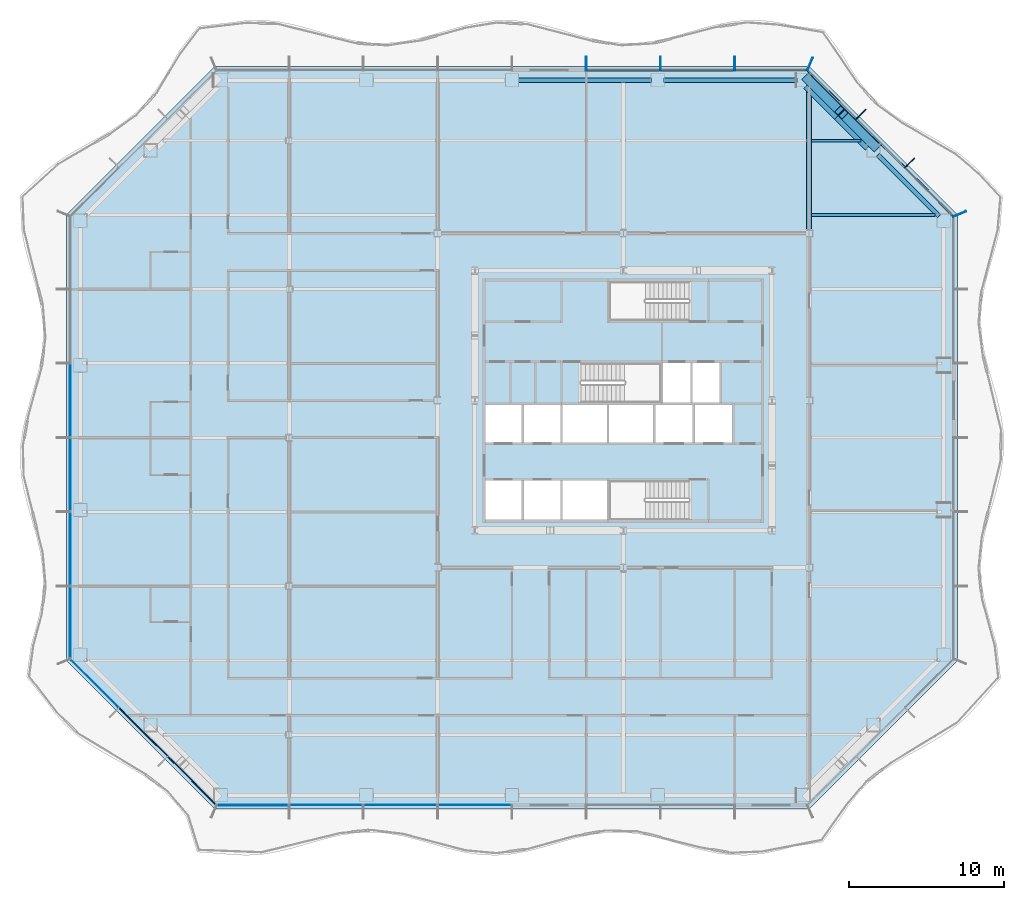
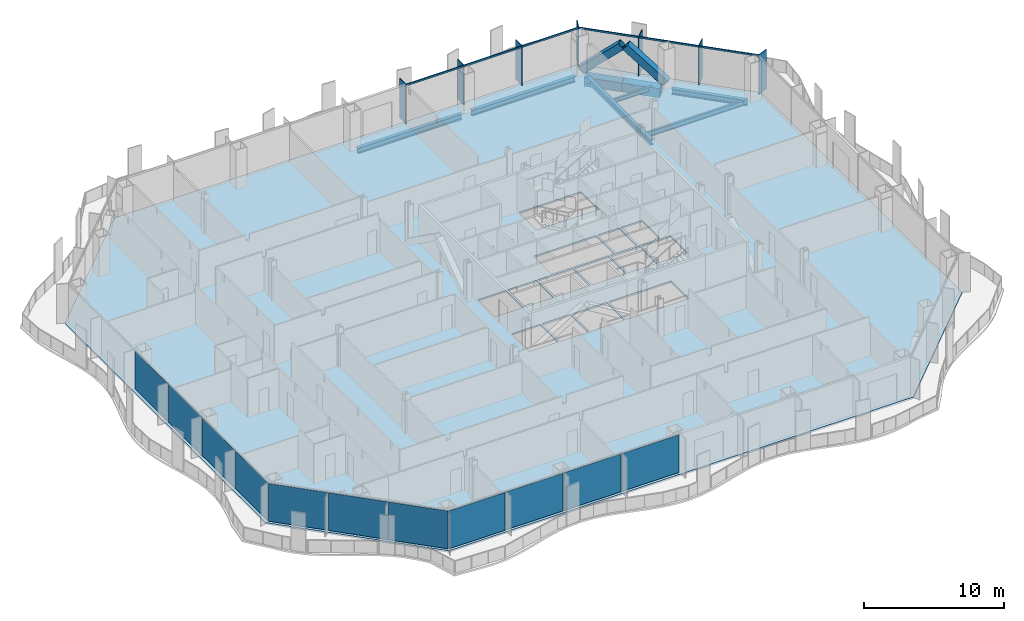
# One storey, part 4 of 18: 15 members, 11 plates, 8 beams, 1 slab, 5 elements without a shape of their own.
"""IFC4 building model written with IfcOpenShell, lengths in metres."""

from ifc_helpers import new_model, si_unit, direction, frame, origin, origin_2d, place, context, subcontext, project, spatial, polyline, rectangle, hollow_rectangle, i_section, outline, extrude, material, layer, layer_set, material_profile, profile_set, type_object, element, aggregate, save


model = new_model("IFC4")

# Units and contexts
model_context = context("Model", 3, precision=1e-05, world=origin(), true_north=direction((0.0, 1.0)))
body_context = subcontext(model_context, "Body", "Model", "MODEL_VIEW")
ifc_project = project(units=[si_unit("LENGTHUNIT", "METRE"), si_unit("AREAUNIT", "SQUARE_METRE"), si_unit("VOLUMEUNIT", "CUBIC_METRE"), si_unit("PLANEANGLEUNIT", "RADIAN"), si_unit("MASSUNIT", "GRAM", prefix="KILO")], contexts=[model_context])

# Site, building, storey
site_placement = place(None, origin())
site = spatial("IfcSite", under=ifc_project, at=site_placement, CompositionType="ELEMENT")
building_placement = place(site_placement, origin())
building = spatial("IfcBuilding", under=site, at=building_placement, Name="Cairn Pilgrim Tower", CompositionType="ELEMENT")
storey_placement = place(building_placement, frame((0.0, 0.0, 76.199951171875)))
storey = spatial("IfcBuildingStorey", under=building, at=storey_placement, Name="L17", CompositionType="ELEMENT", Elevation=76.199951171875)

# Members
ifc_material_1 = material(Name="Structural steel S460M", Category="steel")
ifc_material_profile_1 = material_profile(ifc_material_1, hollow_rectangle(XDim=0.60009765625, YDim=0.60009765625, WallThickness=0.034912109375, at=origin_2d()), Name="BOX 600x600x35")
ifc_profile_set_1 = profile_set([ifc_material_profile_1], Name="Structural steel S460M")
member_type_1 = type_object("IfcMemberType", Name="BOX 600x600x35 BRACE", PredefinedType="BRACE", material=ifc_profile_set_1)
for number, where, z_axis, x_axis, name in (
    (1, (23.4873046875, 18.814697265625, 0.150146484375), (-0.528960912345, 0.52889942671, 0.663675937214), (-0.70706568108, -0.707147878904, 0.0), "XB-NE2-N1-1"),
    (2, (19.078125, 23.2236328125, 0.150146484375), (0.528943710525, -0.528943710525, 0.663654354459), (0.707106781187, 0.707106781187, 0.0), "XB-NE2-N1-2"),
):
    element("IfcMember", number, at=place(storey_placement, frame(where, z_axis=z_axis, x_axis=x_axis)), inside=storey, type_object=member_type_1, Name=name, PredefinedType="BRACE", context=body_context, shape_type="SweptSolid", body=[
        extrude(hollow_rectangle(XDim=0.60009765625, YDim=0.60009765625, WallThickness=0.034912109375, at=origin_2d()), origin(), (0.0, 0.0, 1.0), 3.970703125),
    ])

# Beams
ifc_material_2 = material(Name="Structural steel S355J2", Category="steel")
ifc_material_profile_2 = material_profile(ifc_material_2, hollow_rectangle(XDim=0.699951171875, YDim=0.800048828125, WallThickness=0.0400390625, at=origin_2d()), Name="BOX 700x800x40")
ifc_profile_set_2 = profile_set([ifc_material_profile_2], Name="Structural steel S355J2")
beam_type_1 = type_object("IfcBeamType", Name="BOX 700x800x40 RING GIRDER", PredefinedType="SPANDREL", material=ifc_profile_set_2)
beam_1_placement = place(storey_placement, frame((23.0771484375, 18.85009765625, -0.550048828125), z_axis=(-0.707106781187, 0.707106781187, 0.0), x_axis=(-0.707106781187, -0.707106781187, 0.0)))
element("IfcBeam", 3, at=beam_1_placement, inside=storey, type_object=beam_type_1, Name="RG1-NE2-N1-1", PredefinedType="SPANDREL", context=body_context, shape_type="SweptSolid", body=[
    extrude(hollow_rectangle(XDim=0.699951171875, YDim=0.800048828125, WallThickness=0.0400390625, at=origin_2d()), origin(), (0.0, 0.0, 1.0), 2.802490234375),
])
beam_2_placement = place(storey_placement, frame((21.095458984375, 20.831787109375, -0.550048828125), z_axis=(-0.707106781187, 0.707106781187, 0.0), x_axis=(-0.707106781187, -0.707106781187, 0.0)))
element("IfcBeam", 4, at=beam_2_placement, inside=storey, type_object=beam_type_1, Name="RG1-NE2-N1-2", PredefinedType="SPANDREL", context=body_context, shape_type="SweptSolid", body=[
    extrude(hollow_rectangle(XDim=0.699951171875, YDim=0.800048828125, WallThickness=0.0400390625, at=origin_2d()), origin(), (0.0, 0.0, 1.0), 2.802978515625),
])

# Curtain wall, members
ifc_material_3 = material(Name="Aluminium alloy 6063-T6 bronze anodised with Bronze tinted laminated low-E glass 8+16+8.8", Category="aluminium")
curtain_wall_type_1 = type_object("IfcCurtainWallType", Name="CHAMFER CORNER CURTAIN WALL", PredefinedType="NOTDEFINED", material=ifc_material_3)
curtain_wall_1_placement = place(storey_placement, origin())
curtain_wall_1 = element("IfcCurtainWall", 5, at=curtain_wall_1_placement, inside=storey, type_object=curtain_wall_type_1, Name="Chamfer Corner Curtain Wall NE", PredefinedType="NOTDEFINED")
ifc_material_4 = material(Name="Aluminium alloy 6063-T6 bronze anodised", Category="aluminium")
ifc_material_profile_3 = material_profile(ifc_material_4, rectangle(XDim=0.89990234375, YDim=0.06005859375, at=origin_2d()), Name="FIN MULLION 60x900 BRONZE")
ifc_profile_set_3 = profile_set([ifc_material_profile_3], Name="Aluminium alloy 6063-T6 bronze anodised")
member_type_2 = type_object("IfcMemberType", Name="FIN MULLION 60x900 BRONZE", PredefinedType="MULLION", material=ifc_profile_set_3)
member_1_placement = place(storey_placement, frame((28.93798828125, 14.457275390625, 0.0), z_axis=(0.0, 0.0, 1.0), x_axis=(0.923879532511, 0.382683432365, 0.0)))
member_1 = element("IfcMember", 6, at=member_1_placement, type_object=member_type_2, Name="Fin mullion NE1", PredefinedType="MULLION", context=body_context, shape_type="SweptSolid", body=[
    extrude(rectangle(XDim=0.89990234375, YDim=0.06005859375, at=origin_2d()), origin(), (0.0, 0.0, 1.0), 3.449951171875),
])
member_2_placement = place(storey_placement, frame((25.69580078125, 17.74462890625, 0.0), z_axis=(0.0, 0.0, 1.0), x_axis=(0.707106781187, 0.707106781187, 0.0)))
member_2 = element("IfcMember", 7, at=member_2_placement, type_object=member_type_2, Name="Fin mullion NE2", PredefinedType="MULLION", context=body_context, shape_type="SweptSolid", body=[
    extrude(rectangle(XDim=0.89990234375, YDim=0.06005859375, at=origin_2d()), origin(), (0.0, 0.0, 1.0), 3.449951171875),
])
member_3_placement = place(storey_placement, frame((22.544677734375, 20.895751953125, 0.0), z_axis=(0.0, 0.0, 1.0), x_axis=(0.707106781187, 0.707106781187, 0.0)))
member_3 = element("IfcMember", 8, at=member_3_placement, type_object=member_type_2, Name="Fin mullion NE3", PredefinedType="MULLION", context=body_context, shape_type="SweptSolid", body=[
    extrude(rectangle(XDim=0.89990234375, YDim=0.06005859375, at=origin_2d()), origin(), (0.0, 0.0, 1.0), 3.449951171875),
])

curtain_wall_type_2 = type_object("IfcCurtainWallType", Name="TOWER STICK CURTAIN WALL NS", PredefinedType="NOTDEFINED", material=ifc_material_3)
curtain_wall_2_placement = place(storey_placement, origin())
curtain_wall_2 = element("IfcCurtainWall", 9, at=curtain_wall_2_placement, inside=storey, type_object=curtain_wall_type_2, Name="Tower Stick Curtain Wall Ns N", PredefinedType="NOTDEFINED")
member_4_placement = place(storey_placement, frame((19.257080078125, 24.137939453125, 0.0), z_axis=(0.0, 0.0, 1.0), x_axis=(0.382683432365, 0.923879532511, 0.0)))
member_4 = element("IfcMember", 10, at=member_4_placement, type_object=member_type_2, Name="Fin mullion N1", PredefinedType="MULLION", context=body_context, shape_type="SweptSolid", body=[
    extrude(rectangle(XDim=0.89990234375, YDim=0.06005859375, at=origin_2d()), origin(), (0.0, 0.0, 1.0), 3.449951171875),
])
member_5_placement = place(storey_placement, frame((14.39990234375, 24.169921875, 0.0), z_axis=(0.0, 0.0, 1.0), x_axis=(0.0, 1.0, 0.0)))
member_5 = element("IfcMember", 11, at=member_5_placement, type_object=member_type_2, Name="Fin mullion N2", PredefinedType="MULLION", context=body_context, shape_type="SweptSolid", body=[
    extrude(rectangle(XDim=0.89990234375, YDim=0.06005859375, at=origin_2d()), origin(), (0.0, 0.0, 1.0), 3.449951171875),
])
member_6_placement = place(storey_placement, frame((9.60009765625, 24.169921875, 0.0), z_axis=(0.0, 0.0, 1.0), x_axis=(0.0, 1.0, 0.0)))
member_6 = element("IfcMember", 12, at=member_6_placement, type_object=member_type_2, Name="Fin mullion N3", PredefinedType="MULLION", context=body_context, shape_type="SweptSolid", body=[
    extrude(rectangle(XDim=0.89990234375, YDim=0.06005859375, at=origin_2d()), origin(), (0.0, 0.0, 1.0), 3.449951171875),
])
member_7_placement = place(storey_placement, frame((4.800048828125, 24.169921875, 0.0), z_axis=(0.0, 0.0, 1.0), x_axis=(0.0, 1.0, 0.0)))
member_7 = element("IfcMember", 13, at=member_7_placement, type_object=member_type_2, Name="Fin mullion N4", PredefinedType="MULLION", context=body_context, shape_type="SweptSolid", body=[
    extrude(rectangle(XDim=0.89990234375, YDim=0.06005859375, at=origin_2d()), origin(), (0.0, 0.0, 1.0), 3.449951171875),
])

# Beams
ifc_material_profile_4 = material_profile(ifc_material_2, i_section(OverallWidth=0.300048828125, OverallDepth=0.5, WebThickness=0.014404296875, FlangeThickness=0.028076171875, FilletRadius=0.027099609375, at=origin_2d()), Name="HEB 500")
ifc_profile_set_4 = profile_set([ifc_material_profile_4], Name="Structural steel S355J2")
beam_type_2 = type_object("IfcBeamType", Name="HEB 500 GIRDER", PredefinedType="BEAM", material=ifc_profile_set_4)
beam_3_placement = place(storey_placement, frame((19.199951171875, 13.412109375, -0.39990234375), z_axis=(0.0, 1.0, 0.0), x_axis=(-1.0, 0.0, 0.0)))
element("IfcBeam", 14, at=beam_3_placement, inside=storey, type_object=beam_type_2, Name="PG4-4", PredefinedType="BEAM", context=body_context, shape_type="SweptSolid", body=[
    extrude(i_section(OverallWidth=0.300048828125, OverallDepth=0.5, WebThickness=0.014404296875, FlangeThickness=0.028076171875, FilletRadius=0.027099609375, at=origin_2d()), origin(), (0.0, 0.0, 1.0), 9.133056640625),
])
ifc_material_profile_5 = material_profile(ifc_material_2, i_section(OverallWidth=0.300048828125, OverallDepth=0.5, WebThickness=0.014404296875, FlangeThickness=0.028076171875, FilletRadius=0.027099609375, at=origin_2d()), Name="HEB 500")
ifc_profile_set_5 = profile_set([ifc_material_profile_5], Name="Structural steel S355J2")
beam_type_3 = type_object("IfcBeamType", Name="HEB 500 RING GIRDER", PredefinedType="SPANDREL", material=ifc_profile_set_5)
beam_4_placement = place(storey_placement, frame((27.613525390625, 14.313720703125, -0.39990234375), z_axis=(-0.707128558756, 0.707085002947, 0.0), x_axis=(-0.707085002947, -0.707128558756, 0.0)))
element("IfcBeam", 15, at=beam_4_placement, inside=storey, type_object=beam_type_3, Name="RG1-NE1-NE2", PredefinedType="SPANDREL", context=body_context, shape_type="SweptSolid", body=[
    extrude(i_section(OverallWidth=0.300048828125, OverallDepth=0.5, WebThickness=0.014404296875, FlangeThickness=0.028076171875, FilletRadius=0.027099609375, at=origin_2d()), origin(), (0.0, 0.0, 1.0), 5.605224609375),
])
for number, where, z_axis, x_axis, name in (
    (16, (18.422119140625, 23.10009765625, -0.39990234375), (-1.0, 0.0, 0.0), (0.0, -1.0, 0.0), "RG1-N1-N2"),
    (17, (9.008544921875, 23.10009765625, -0.39990234375), (-1.0, 0.0, 0.0), (0.0, -1.0, 0.0), "RG1-N2-N3"),
):
    element("IfcBeam", number, at=place(storey_placement, frame(where, z_axis=z_axis, x_axis=x_axis)), inside=storey, type_object=beam_type_3, Name=name, PredefinedType="SPANDREL", context=body_context, shape_type="SweptSolid", body=[
        extrude(i_section(OverallWidth=0.300048828125, OverallDepth=0.5, WebThickness=0.014404296875, FlangeThickness=0.028076171875, FilletRadius=0.027099609375, at=origin_2d()), origin(), (0.0, 0.0, 1.0), 8.603515625),
    ])
ifc_material_profile_6 = material_profile(ifc_material_2, i_section(OverallWidth=0.169921875, OverallDepth=0.360107421875, WebThickness=0.008056640625, FlangeThickness=0.0126953125, FilletRadius=0.01806640625, at=origin_2d()), Name="IPE 360")
ifc_profile_set_6 = profile_set([ifc_material_profile_6], Name="Structural steel S355J2")
beam_type_4 = type_object("IfcBeamType", Name="IPE 360 SECONDARY BEAM", PredefinedType="JOIST", material=ifc_profile_set_6)
beam_5_placement = place(storey_placement, frame((19.35009765625, 19.199951171875, -0.329833984375), z_axis=(1.0, 0.0, 0.0), x_axis=(0.0, 1.0, 0.0)))
element("IfcBeam", 18, at=beam_5_placement, inside=storey, type_object=beam_type_4, Name="SB9-5", PredefinedType="JOIST", context=body_context, shape_type="SweptSolid", body=[
    extrude(i_section(OverallWidth=0.169921875, OverallDepth=0.360107421875, WebThickness=0.008056640625, FlangeThickness=0.0126953125, FilletRadius=0.01806640625, at=origin_2d()), origin(), (0.0, 0.0, 1.0), 3.195068359375),
])
ifc_material_profile_7 = material_profile(ifc_material_2, i_section(OverallWidth=0.18994140625, OverallDepth=0.449951171875, WebThickness=0.009521484375, FlangeThickness=0.0146484375, FilletRadius=0.02099609375, at=origin_2d()), Name="IPE 450")
ifc_profile_set_7 = profile_set([ifc_material_profile_7], Name="Structural steel S355J2")
beam_type_5 = type_object("IfcBeamType", Name="IPE 450 SECONDARY BEAM", PredefinedType="JOIST", material=ifc_profile_set_7)
beam_6_placement = place(storey_placement, frame((19.35009765625, 14.39990234375, -0.375), z_axis=(1.0, 0.0, 0.0), x_axis=(0.0, 1.0, 0.0)))
element("IfcBeam", 19, at=beam_6_placement, inside=storey, type_object=beam_type_5, Name="SB8-3", PredefinedType="JOIST", context=body_context, shape_type="SweptSolid", body=[
    extrude(i_section(OverallWidth=0.18994140625, OverallDepth=0.449951171875, WebThickness=0.009521484375, FlangeThickness=0.0146484375, FilletRadius=0.02099609375, at=origin_2d()), origin(), (0.0, 0.0, 1.0), 7.9951171875),
])

# Member
ifc_material_profile_8 = material_profile(ifc_material_4, rectangle(XDim=0.080078125, YDim=0.14990234375, at=origin_2d()), Name="TRANSOM 80x150 BRONZE")
ifc_profile_set_8 = profile_set([ifc_material_profile_8], Name="Aluminium alloy 6063-T6 bronze anodised")
member_type_3 = type_object("IfcMemberType", Name="TRANSOM 80x150 BRONZE", PredefinedType="USERDEFINED", material=ifc_profile_set_8)
member_8_placement = place(storey_placement, frame((28.521728515625, 14.32470703125, 3.375), z_axis=(-0.707106781187, 0.707106781187, 0.0), x_axis=(-0.707106781187, -0.707106781187, 0.0)))
member_8 = element("IfcMember", 20, at=member_8_placement, type_object=member_type_3, Name="Transom NE1", ObjectType="TRANSOM", PredefinedType="USERDEFINED", context=body_context, shape_type="SweptSolid", body=[
    extrude(rectangle(XDim=0.080078125, YDim=0.14990234375, at=origin_2d()), origin(), (0.0, 0.0, 1.0), 4.38671875),
])

member_9_placement = place(storey_placement, frame((25.377685546875, 17.46875, 3.375), z_axis=(-0.707106781187, 0.707106781187, 0.0), x_axis=(-0.707106781187, -0.707106781187, 0.0)))
member_9 = element("IfcMember", 21, at=member_9_placement, type_object=member_type_3, Name="Transom NE2", ObjectType="TRANSOM", PredefinedType="USERDEFINED", context=body_context, shape_type="SweptSolid", body=[
    extrude(rectangle(XDim=0.080078125, YDim=0.14990234375, at=origin_2d()), origin(), (0.0, 0.0, 1.0), 4.396728515625),
])

member_10_placement = place(storey_placement, frame((22.226318359375, 20.6201171875, 3.375), z_axis=(-0.707106781187, 0.707106781187, 0.0), x_axis=(-0.707106781187, -0.707106781187, 0.0)))
member_10 = element("IfcMember", 22, at=member_10_placement, type_object=member_type_3, Name="Transom NE3", ObjectType="TRANSOM", PredefinedType="USERDEFINED", context=body_context, shape_type="SweptSolid", body=[
    extrude(rectangle(XDim=0.080078125, YDim=0.14990234375, at=origin_2d()), origin(), (0.0, 0.0, 1.0), 4.38623046875),
])

aggregate(curtain_wall_1, [member_1, member_2, member_3, member_8, member_9, member_10])

member_11_placement = place(storey_placement, frame((19.056396484375, 23.75, 3.375), z_axis=(-1.0, 0.0, 0.0), x_axis=(0.0, -1.0, 0.0)))
member_11 = element("IfcMember", 23, at=member_11_placement, type_object=member_type_3, Name="Transom N1", ObjectType="TRANSOM", PredefinedType="USERDEFINED", context=body_context, shape_type="SweptSolid", body=[
    extrude(rectangle(XDim=0.080078125, YDim=0.14990234375, at=origin_2d()), origin(), (0.0, 0.0, 1.0), 4.62646484375),
])

member_12_placement = place(storey_placement, frame((14.3701171875, 23.75, 3.375), z_axis=(-1.0, 0.0, 0.0), x_axis=(0.0, -1.0, 0.0)))
member_12 = element("IfcMember", 24, at=member_12_placement, type_object=member_type_3, Name="Transom N2", ObjectType="TRANSOM", PredefinedType="USERDEFINED", context=body_context, shape_type="SweptSolid", body=[
    extrude(rectangle(XDim=0.080078125, YDim=0.14990234375, at=origin_2d()), origin(), (0.0, 0.0, 1.0), 4.740234375),
])

member_13_placement = place(storey_placement, frame((9.570068359375, 23.75, 3.375), z_axis=(-1.0, 0.0, 0.0), x_axis=(0.0, -1.0, 0.0)))
member_13 = element("IfcMember", 25, at=member_13_placement, type_object=member_type_3, Name="Transom N3", ObjectType="TRANSOM", PredefinedType="USERDEFINED", context=body_context, shape_type="SweptSolid", body=[
    extrude(rectangle(XDim=0.080078125, YDim=0.14990234375, at=origin_2d()), origin(), (0.0, 0.0, 1.0), 4.739990234375),
])

aggregate(curtain_wall_2, [member_4, member_5, member_6, member_7, member_11, member_12, member_13])

# Slab
ifc_material_5 = material(Name="Concrete C35/45", Category="concrete")
ifc_layer_1 = layer(ifc_material_5, 0.14990234375)
ifc_layer_set_1 = layer_set([ifc_layer_1], Name="COMPOSITE FLOOR SLAB 150")
slab_type = type_object("IfcSlabType", Name="COMPOSITE FLOOR SLAB 150", PredefinedType="FLOOR", material=ifc_layer_set_1)
slab_placement = place(storey_placement, frame((0.0, 0.0, -0.14990234375)))
element("IfcSlab", 26, at=slab_placement, inside=storey, type_object=slab_type, Name="FLOOR SLAB L17", PredefinedType="FLOOR", context=body_context, shape_type="SweptSolid", body=[
    extrude(outline(polyline([(-19.199951171875, -24.0), (19.199951171875, -24.0), (28.800048828125, -14.39990234375), (28.800048828125, 14.39990234375), (19.199951171875, 24.0), (-19.199951171875, 24.0), (-28.800048828125, 14.39990234375), (-28.800048828125, -14.39990234375), (-19.199951171875, -24.0)]), holes=[polyline([(-1.72509765625, -5.300048828125), (0.625, -5.300048828125), (0.625, -2.77490234375), (-1.72509765625, -2.77490234375), (-1.72509765625, -5.300048828125)]), polyline([(0.77490234375, -5.300048828125), (3.125, -5.300048828125), (3.125, -2.77490234375), (0.77490234375, -2.77490234375), (0.77490234375, -5.300048828125)]), polyline([(-1.72509765625, -0.324951171875), (0.625, -0.324951171875), (0.625, 2.125), (-1.72509765625, 2.125), (-1.72509765625, -0.324951171875)]), polyline([(0.77490234375, -0.324951171875), (3.125, -0.324951171875), (3.125, 2.125), (0.77490234375, 2.125), (0.77490234375, -0.324951171875)]), polyline([(3.27490234375, -5.300048828125), (6.125, -5.300048828125), (6.125, -2.77490234375), (3.27490234375, -2.77490234375), (3.27490234375, -5.300048828125)]), polyline([(3.27490234375, -0.324951171875), (6.125, -0.324951171875), (6.125, 2.125), (3.27490234375, 2.125), (3.27490234375, -0.324951171875)]), polyline([(6.27490234375, -0.324951171875), (9.125, -0.324951171875), (9.125, 2.125), (6.27490234375, 2.125), (6.27490234375, -0.324951171875)]), polyline([(9.27490234375, -0.324951171875), (11.675048828125, -0.324951171875), (11.675048828125, 2.125), (9.27490234375, 2.125), (9.27490234375, -0.324951171875)]), polyline([(11.824951171875, -0.324951171875), (14.22509765625, -0.324951171875), (14.22509765625, 2.125), (11.824951171875, 2.125), (11.824951171875, -0.324951171875)]), polyline([(9.77490234375, 2.27490234375), (11.52490234375, 2.27490234375), (11.52490234375, 4.824951171875), (9.77490234375, 4.824951171875), (9.77490234375, 2.27490234375)]), polyline([(11.675048828125, 2.27490234375), (13.425048828125, 2.27490234375), (13.425048828125, 4.824951171875), (11.675048828125, 4.824951171875), (11.675048828125, 2.27490234375)]), polyline([(11.424560546875, -2.77490234375), (6.27490234375, -2.77490234375), (6.27490234375, -5.300048828125), (11.424560546875, -5.300048828125), (11.424560546875, -2.77490234375)]), polyline([(4.4755859375, 2.27490234375), (9.625, 2.27490234375), (9.625, 4.824951171875), (4.4755859375, 4.824951171875), (4.4755859375, 2.27490234375)]), polyline([(11.424560546875, 10.10009765625), (6.27490234375, 10.10009765625), (6.27490234375, 7.574951171875), (11.424560546875, 7.574951171875), (11.424560546875, 10.10009765625)])]), origin(), (0.0, 0.0, 1.0), 0.14990234375),
])

# Curtain wall, plates
curtain_wall_3_placement = place(storey_placement, origin())
curtain_wall_3 = element("IfcCurtainWall", 27, at=curtain_wall_3_placement, inside=storey, type_object=curtain_wall_type_1, Name="Chamfer Corner Curtain Wall SW", PredefinedType="NOTDEFINED")
ifc_material_6 = material(Name="Bronze anodised aluminium spandrel panel with mineral wool insulation", Category="aluminium")
ifc_layer_2 = layer(ifc_material_6, 0.06005859375)
ifc_layer_set_2 = layer_set([ifc_layer_2], Name="SPANDREL PANEL 4386x3300")
plate_type_1 = type_object("IfcPlateType", Name="SPANDREL PANEL 4386x3300", PredefinedType="CURTAIN_PANEL", material=ifc_layer_set_2)
plate_1_placement = place(storey_placement, frame((-20.675537109375, -22.1708984375, 0.0), z_axis=(0.0, 0.0, 1.0), x_axis=(0.707106781187, -0.707106781187, 0.0)))
plate_1 = element("IfcPlate", 28, at=plate_1_placement, type_object=plate_type_1, Name="Spandrel Panel SW3-1", PredefinedType="CURTAIN_PANEL", context=body_context, shape_type="SweptSolid", body=[
    extrude(rectangle(XDim=4.386474609375, YDim=0.06005859375, at=origin_2d()), origin(), (0.0, 0.0, 1.0), 3.300048828125),
])
ifc_layer_3 = layer(ifc_material_6, 0.06005859375)
ifc_layer_set_3 = layer_set([ifc_layer_3], Name="SPANDREL PANEL 4396x3300")
plate_type_2 = type_object("IfcPlateType", Name="SPANDREL PANEL 4396x3300", PredefinedType="CURTAIN_PANEL", material=ifc_layer_set_3)
plate_2_placement = place(storey_placement, frame((-23.8232421875, -19.023193359375, 0.0), z_axis=(0.0, 0.0, 1.0), x_axis=(0.707106781187, -0.707106781187, 0.0)))
plate_2 = element("IfcPlate", 29, at=plate_2_placement, type_object=plate_type_2, Name="Spandrel Panel SW2-1", PredefinedType="CURTAIN_PANEL", context=body_context, shape_type="SweptSolid", body=[
    extrude(rectangle(XDim=4.396484375, YDim=0.06005859375, at=origin_2d()), origin(), (0.0, 0.0, 1.0), 3.300048828125),
])

# Curtain wall, plate
curtain_wall_4_placement = place(storey_placement, origin())
curtain_wall_4 = element("IfcCurtainWall", 30, at=curtain_wall_4_placement, inside=storey, type_object=curtain_wall_type_2, Name="Tower Stick Curtain Wall Ns S", PredefinedType="NOTDEFINED")
ifc_layer_4 = layer(ifc_material_6, 0.06005859375)
ifc_layer_set_4 = layer_set([ifc_layer_4], Name="SPANDREL PANEL 4626x3300")
plate_type_3 = type_object("IfcPlateType", Name="SPANDREL PANEL 4626x3300", PredefinedType="CURTAIN_PANEL", material=ifc_layer_set_4)
plate_3_placement = place(storey_placement, frame((-16.7431640625, -23.75, 0.0), z_axis=(0.0, 0.0, 1.0), x_axis=(1.0, 0.0, 0.0)))
plate_3 = element("IfcPlate", 31, at=plate_3_placement, type_object=plate_type_3, Name="Spandrel Panel S1-1", PredefinedType="CURTAIN_PANEL", context=body_context, shape_type="SweptSolid", body=[
    extrude(rectangle(XDim=4.62646484375, YDim=0.06005859375, at=origin_2d()), origin(), (0.0, 0.0, 1.0), 3.300048828125),
])

# Plate
ifc_material_7 = material(Name="Bronze tinted laminated low-E glass 8+16+8.8", Category="glass")
ifc_layer_5 = layer(ifc_material_7, 0.033935546875)
ifc_layer_set_5 = layer_set([ifc_layer_5], Name="VISION GLAZING 4386x3300")
plate_type_4 = type_object("IfcPlateType", Name="VISION GLAZING 4386x3300", PredefinedType="CURTAIN_PANEL", material=ifc_layer_set_5)
plate_4_placement = place(storey_placement, frame((-26.970947265625, -15.87548828125, 0.0), z_axis=(0.0, 0.0, 1.0), x_axis=(0.707106781187, -0.707106781187, 0.0)))
plate_4 = element("IfcPlate", 32, at=plate_4_placement, type_object=plate_type_4, Name="Vision Glazing SW1-1", PredefinedType="CURTAIN_PANEL", context=body_context, shape_type="SweptSolid", body=[
    extrude(rectangle(XDim=4.386474609375, YDim=0.033935546875, at=origin_2d()), origin(), (0.0, 0.0, 1.0), 3.300048828125),
])

aggregate(curtain_wall_3, [plate_4, plate_2, plate_1])

# Curtain wall, plate
curtain_wall_type_3 = type_object("IfcCurtainWallType", Name="TOWER STICK CURTAIN WALL EW", PredefinedType="NOTDEFINED", material=ifc_material_3)
curtain_wall_5_placement = place(storey_placement, origin())
curtain_wall_5 = element("IfcCurtainWall", 33, at=curtain_wall_5_placement, inside=storey, type_object=curtain_wall_type_3, Name="Tower Stick Curtain Wall Ew W", PredefinedType="NOTDEFINED")
ifc_layer_6 = layer(ifc_material_7, 0.033935546875)
ifc_layer_set_6 = layer_set([ifc_layer_6], Name="VISION GLAZING 4626x3300")
plate_type_5 = type_object("IfcPlateType", Name="VISION GLAZING 4626x3300", PredefinedType="CURTAIN_PANEL", material=ifc_layer_set_6)
plate_5_placement = place(storey_placement, frame((-28.550048828125, -11.943115234375, 0.0), z_axis=(0.0, 0.0, 1.0), x_axis=(0.0, -1.0, 0.0)))
plate_5 = element("IfcPlate", 34, at=plate_5_placement, type_object=plate_type_5, Name="Vision Glazing W6-1", PredefinedType="CURTAIN_PANEL", context=body_context, shape_type="SweptSolid", body=[
    extrude(rectangle(XDim=4.62646484375, YDim=0.033935546875, at=origin_2d()), origin(), (0.0, 0.0, 1.0), 3.300048828125),
])

# Plate
ifc_layer_7 = layer(ifc_material_7, 0.033935546875)
ifc_layer_set_7 = layer_set([ifc_layer_7], Name="VISION GLAZING 4740x3300")
plate_type_6 = type_object("IfcPlateType", Name="VISION GLAZING 4740x3300", PredefinedType="CURTAIN_PANEL", material=ifc_layer_set_7)
plate_6_placement = place(storey_placement, frame((-12.0, -23.75, 0.0), z_axis=(0.0, 0.0, 1.0), x_axis=(1.0, 0.0, 0.0)))
plate_6 = element("IfcPlate", 35, at=plate_6_placement, type_object=plate_type_6, Name="Vision Glazing S2-1", PredefinedType="CURTAIN_PANEL", context=body_context, shape_type="SweptSolid", body=[
    extrude(rectangle(XDim=4.739990234375, YDim=0.033935546875, at=origin_2d()), origin(), (0.0, 0.0, 1.0), 3.300048828125),
])

plate_7_placement = place(storey_placement, frame((-7.199951171875, -23.75, 0.0), z_axis=(0.0, 0.0, 1.0), x_axis=(1.0, 0.0, 0.0)))
plate_7 = element("IfcPlate", 36, at=plate_7_placement, type_object=plate_type_6, Name="Vision Glazing S3-1", PredefinedType="CURTAIN_PANEL", context=body_context, shape_type="SweptSolid", body=[
    extrude(rectangle(XDim=4.739990234375, YDim=0.033935546875, at=origin_2d()), origin(), (0.0, 0.0, 1.0), 3.300048828125),
])

plate_8_placement = place(storey_placement, frame((-2.39990234375, -23.75, 0.0), z_axis=(0.0, 0.0, 1.0), x_axis=(1.0, 0.0, 0.0)))
plate_8 = element("IfcPlate", 37, at=plate_8_placement, type_object=plate_type_6, Name="Vision Glazing S4-1", PredefinedType="CURTAIN_PANEL", context=body_context, shape_type="SweptSolid", body=[
    extrude(rectangle(XDim=4.739990234375, YDim=0.033935546875, at=origin_2d()), origin(), (0.0, 0.0, 1.0), 3.300048828125),
])

aggregate(curtain_wall_4, [plate_3, plate_6, plate_7, plate_8])

plate_9_placement = place(storey_placement, frame((-28.550048828125, 2.39990234375, 0.0), z_axis=(0.0, 0.0, 1.0), x_axis=(0.0, -1.0, 0.0)))
plate_9 = element("IfcPlate", 38, at=plate_9_placement, type_object=plate_type_6, Name="Vision Glazing W3-1", PredefinedType="CURTAIN_PANEL", context=body_context, shape_type="SweptSolid", body=[
    extrude(rectangle(XDim=4.739990234375, YDim=0.033935546875, at=origin_2d()), origin(), (0.0, 0.0, 1.0), 3.300048828125),
])

plate_10_placement = place(storey_placement, frame((-28.550048828125, -2.39990234375, 0.0), z_axis=(0.0, 0.0, 1.0), x_axis=(0.0, -1.0, 0.0)))
plate_10 = element("IfcPlate", 39, at=plate_10_placement, type_object=plate_type_6, Name="Vision Glazing W4-1", PredefinedType="CURTAIN_PANEL", context=body_context, shape_type="SweptSolid", body=[
    extrude(rectangle(XDim=4.739990234375, YDim=0.033935546875, at=origin_2d()), origin(), (0.0, 0.0, 1.0), 3.300048828125),
])

plate_11_placement = place(storey_placement, frame((-28.550048828125, -7.199951171875, 0.0), z_axis=(0.0, 0.0, 1.0), x_axis=(0.0, -1.0, 0.0)))
plate_11 = element("IfcPlate", 40, at=plate_11_placement, type_object=plate_type_6, Name="Vision Glazing W5-1", PredefinedType="CURTAIN_PANEL", context=body_context, shape_type="SweptSolid", body=[
    extrude(rectangle(XDim=4.739990234375, YDim=0.033935546875, at=origin_2d()), origin(), (0.0, 0.0, 1.0), 3.300048828125),
])

aggregate(curtain_wall_5, [plate_9, plate_10, plate_11, plate_5])

save(model, "model.ifc")
